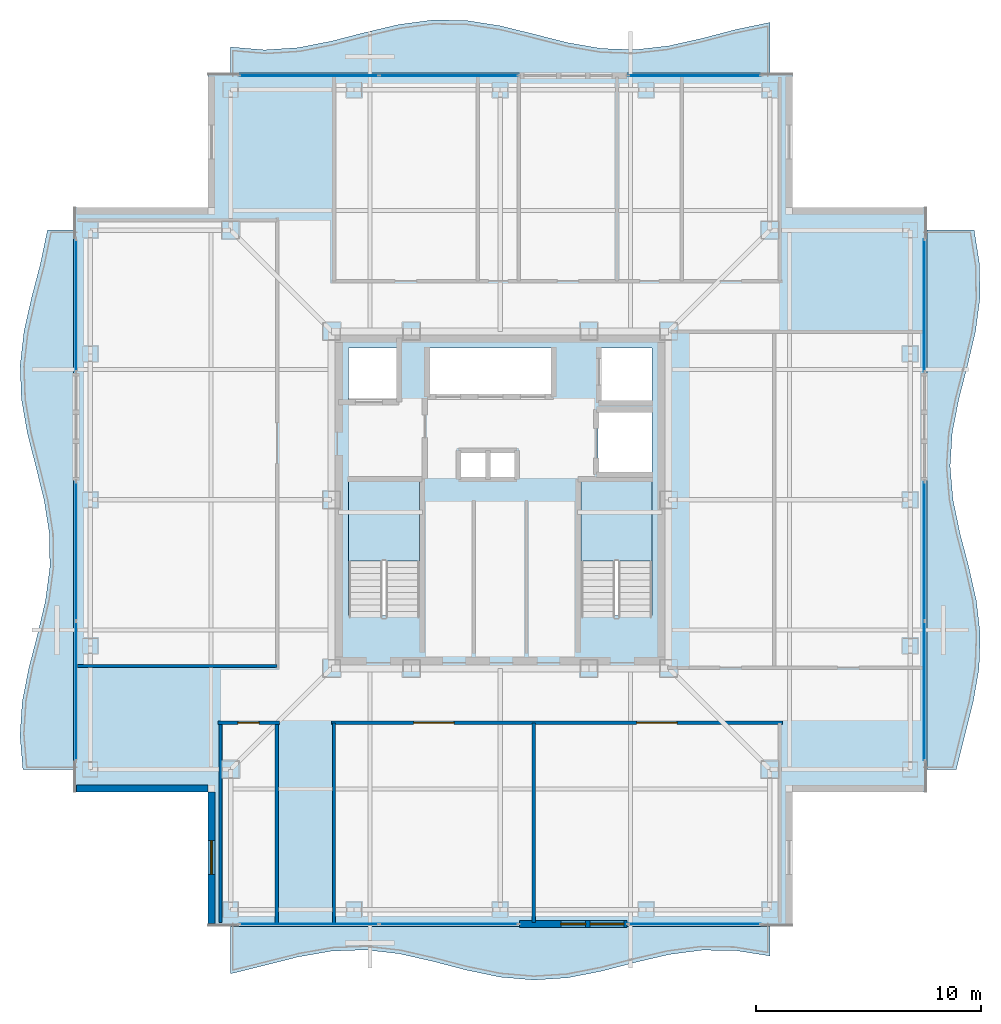
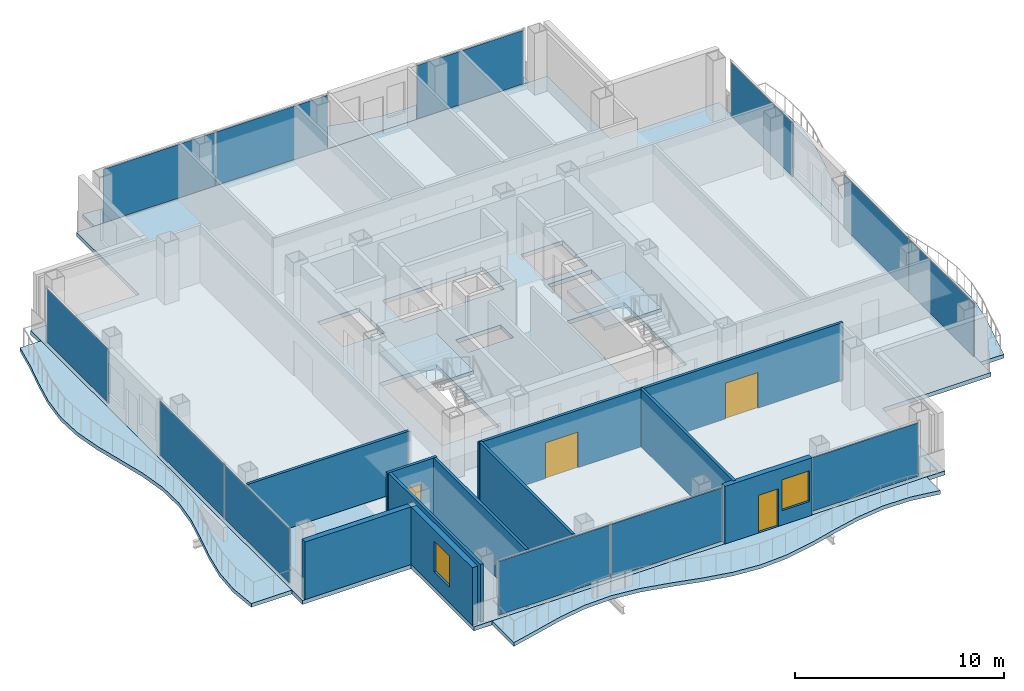
# One storey, part 9 of 17: 12 plates, 10 walls, 7 slabs, 4 doors, 2 windows, 6 openings, 10 elements without a shape of their own.
"""IFC4 building model written with IfcOpenShell, lengths in metres."""

from ifc_helpers import new_model, si_unit, direction, frame, frame_2d, origin, origin_2d, place, context, subcontext, project, spatial, polyline, rectangle, outline, extrude, material, layer, layer_set, type_object, element, fill, aggregate, save


model = new_model("IFC4")

# Units and contexts
model_context = context("Model", 3, precision=1e-05, world=origin(), true_north=direction((0.0, 1.0)))
body_context = subcontext(model_context, "Body", "Model", "MODEL_VIEW")
ifc_project = project(units=[si_unit("LENGTHUNIT", "METRE"), si_unit("AREAUNIT", "SQUARE_METRE"), si_unit("VOLUMEUNIT", "CUBIC_METRE"), si_unit("PLANEANGLEUNIT", "RADIAN"), si_unit("MASSUNIT", "GRAM", prefix="KILO")], contexts=[model_context])

# Site, building, storey
site_placement = place(None, origin())
site = spatial("IfcSite", under=ifc_project, at=site_placement, CompositionType="ELEMENT")
building_placement = place(site_placement, origin())
building = spatial("IfcBuilding", under=site, at=building_placement, Name="Trevonay Congress Spire", CompositionType="ELEMENT")
storey_placement = place(building_placement, frame((0.0, 0.0, 264.800048828125)))
storey = spatial("IfcBuildingStorey", under=building, at=storey_placement, Name="L69", CompositionType="ELEMENT", Elevation=264.800048828125)

# Curtain wall, plates
ifc_material_1 = material(Name="Pale Anodised Aluminium EN AW-6063-T6", Category="aluminium")
ifc_layer_1 = layer(ifc_material_1, 0.1650390625, Name="Pale Anodised Aluminium EN AW-6063-T6")
ifc_layer_set_1 = layer_set([ifc_layer_1], Name="Pale Anodised Aluminium EN AW-6063-T6")
curtain_wall_type = type_object("IfcCurtainWallType", Name="CW-SYS05-DIPLOM-PALE-METAL", PredefinedType="NOTDEFINED", material=ifc_layer_set_1)
curtain_wall_1_placement = place(storey_placement, origin())
curtain_wall_1 = element("IfcCurtainWall", 1, at=curtain_wall_1_placement, inside=storey, type_object=curtain_wall_type, Name="L69 SA unitised curtain wall", PredefinedType="NOTDEFINED")
ifc_material_2 = material(Name="Insulated Low-E Vision Glass IGU", Category="glass")
ifc_layer_2 = layer(ifc_material_2, 0.035888671875, Name="Insulated Low-E Vision Glass IGU")
ifc_layer_set_2 = layer_set([ifc_layer_2], Name="Insulated Low-E Vision Glass IGU")
plate_type = type_object("IfcPlateType", Name="CW-PANEL-IGU36-SILVER", PredefinedType="CURTAIN_PANEL", material=ifc_layer_set_2)
plate_1_placement = place(storey_placement, frame((-8.510009765625, -18.8798828125, 0.119873046875), z_axis=(0.0, 0.0, 1.0), x_axis=(1.0, 0.0, 0.0)))
plate_1 = element("IfcPlate", 2, at=plate_1_placement, type_object=plate_type, Name="CW05 panel 1.1", PredefinedType="CURTAIN_PANEL", context=body_context, shape_type="SweptSolid", body=[
    extrude(rectangle(XDim=6.159912109375, YDim=0.035888671875, at=origin_2d()), origin(), (0.0, 0.0, 1.0), 3.1201171875),
])
plate_2_placement = place(storey_placement, frame((-2.2900390625, -18.8798828125, 0.119873046875), z_axis=(0.0, 0.0, 1.0), x_axis=(1.0, 0.0, 0.0)))
plate_2 = element("IfcPlate", 3, at=plate_2_placement, type_object=plate_type, Name="CW05 panel 2.1", PredefinedType="CURTAIN_PANEL", context=body_context, shape_type="SweptSolid", body=[
    extrude(rectangle(XDim=6.159912109375, YDim=0.035888671875, at=origin_2d()), origin(), (0.0, 0.0, 1.0), 3.1201171875),
])
aggregate(curtain_wall_1, [plate_1, plate_2])

# Curtain wall, plate
curtain_wall_2_placement = place(storey_placement, origin())
curtain_wall_2 = element("IfcCurtainWall", 4, at=curtain_wall_2_placement, inside=storey, type_object=curtain_wall_type, Name="L69 SB unitised curtain wall", PredefinedType="NOTDEFINED")
plate_3_placement = place(storey_placement, frame((8.64990234375, -18.8798828125, 0.119873046875), z_axis=(0.0, 0.0, 1.0), x_axis=(1.0, 0.0, 0.0)))
plate_3 = element("IfcPlate", 5, at=plate_3_placement, type_object=plate_type, Name="CW05 panel 1.1", PredefinedType="CURTAIN_PANEL", context=body_context, shape_type="SweptSolid", body=[
    extrude(rectangle(XDim=5.8798828125, YDim=0.035888671875, at=origin_2d()), origin(), (0.0, 0.0, 1.0), 3.1201171875),
])
aggregate(curtain_wall_2, [plate_3])

# Curtain wall, plates
curtain_wall_3_placement = place(storey_placement, origin())
curtain_wall_3 = element("IfcCurtainWall", 6, at=curtain_wall_3_placement, inside=storey, type_object=curtain_wall_type, Name="L69 NA unitised curtain wall", PredefinedType="NOTDEFINED")
plate_4_placement = place(storey_placement, frame((-8.510009765625, 18.8798828125, 0.119873046875), z_axis=(0.0, 0.0, 1.0), x_axis=(1.0, 0.0, 0.0)))
plate_4 = element("IfcPlate", 7, at=plate_4_placement, type_object=plate_type, Name="CW05 panel 1.1", PredefinedType="CURTAIN_PANEL", context=body_context, shape_type="SweptSolid", body=[
    extrude(rectangle(XDim=6.159912109375, YDim=0.035888671875, at=origin_2d()), origin(), (0.0, 0.0, 1.0), 3.1201171875),
])
plate_5_placement = place(storey_placement, frame((-2.2900390625, 18.8798828125, 0.119873046875), z_axis=(0.0, 0.0, 1.0), x_axis=(1.0, 0.0, 0.0)))
plate_5 = element("IfcPlate", 8, at=plate_5_placement, type_object=plate_type, Name="CW05 panel 2.1", PredefinedType="CURTAIN_PANEL", context=body_context, shape_type="SweptSolid", body=[
    extrude(rectangle(XDim=6.159912109375, YDim=0.035888671875, at=origin_2d()), origin(), (0.0, 0.0, 1.0), 3.1201171875),
])
aggregate(curtain_wall_3, [plate_4, plate_5])

# Curtain wall, plate
curtain_wall_4_placement = place(storey_placement, origin())
curtain_wall_4 = element("IfcCurtainWall", 9, at=curtain_wall_4_placement, inside=storey, type_object=curtain_wall_type, Name="L69 NB unitised curtain wall", PredefinedType="NOTDEFINED")
plate_6_placement = place(storey_placement, frame((8.64990234375, 18.8798828125, 0.119873046875), z_axis=(0.0, 0.0, 1.0), x_axis=(1.0, 0.0, 0.0)))
plate_6 = element("IfcPlate", 10, at=plate_6_placement, type_object=plate_type, Name="CW05 panel 1.1", PredefinedType="CURTAIN_PANEL", context=body_context, shape_type="SweptSolid", body=[
    extrude(rectangle(XDim=5.8798828125, YDim=0.035888671875, at=origin_2d()), origin(), (0.0, 0.0, 1.0), 3.1201171875),
])
aggregate(curtain_wall_4, [plate_6])

# Curtain wall, plates
curtain_wall_5_placement = place(storey_placement, origin())
curtain_wall_5 = element("IfcCurtainWall", 11, at=curtain_wall_5_placement, inside=storey, type_object=curtain_wall_type, Name="L69 WA unitised curtain wall", PredefinedType="NOTDEFINED")
plate_7_placement = place(storey_placement, frame((-18.8798828125, -8.510009765625, 0.119873046875), z_axis=(0.0, 0.0, 1.0), x_axis=(0.0, 1.0, 0.0)))
plate_7 = element("IfcPlate", 12, at=plate_7_placement, type_object=plate_type, Name="CW05 panel 1.1", PredefinedType="CURTAIN_PANEL", context=body_context, shape_type="SweptSolid", body=[
    extrude(rectangle(XDim=6.159912109375, YDim=0.035888671875, at=origin_2d()), origin(), (0.0, 0.0, 1.0), 3.1201171875),
])
plate_8_placement = place(storey_placement, frame((-18.8798828125, -2.2900390625, 0.119873046875), z_axis=(0.0, 0.0, 1.0), x_axis=(0.0, 1.0, 0.0)))
plate_8 = element("IfcPlate", 13, at=plate_8_placement, type_object=plate_type, Name="CW05 panel 2.1", PredefinedType="CURTAIN_PANEL", context=body_context, shape_type="SweptSolid", body=[
    extrude(rectangle(XDim=6.159912109375, YDim=0.035888671875, at=origin_2d()), origin(), (0.0, 0.0, 1.0), 3.1201171875),
])
aggregate(curtain_wall_5, [plate_7, plate_8])

# Curtain wall, plate
curtain_wall_6_placement = place(storey_placement, origin())
curtain_wall_6 = element("IfcCurtainWall", 14, at=curtain_wall_6_placement, inside=storey, type_object=curtain_wall_type, Name="L69 WB unitised curtain wall", PredefinedType="NOTDEFINED")
plate_9_placement = place(storey_placement, frame((-18.8798828125, 8.64990234375, 0.119873046875), z_axis=(0.0, 0.0, 1.0), x_axis=(0.0, 1.0, 0.0)))
plate_9 = element("IfcPlate", 15, at=plate_9_placement, type_object=plate_type, Name="CW05 panel 1.1", PredefinedType="CURTAIN_PANEL", context=body_context, shape_type="SweptSolid", body=[
    extrude(rectangle(XDim=5.8798828125, YDim=0.035888671875, at=origin_2d()), origin(), (0.0, 0.0, 1.0), 3.1201171875),
])
aggregate(curtain_wall_6, [plate_9])

# Curtain wall, plates
curtain_wall_7_placement = place(storey_placement, origin())
curtain_wall_7 = element("IfcCurtainWall", 16, at=curtain_wall_7_placement, inside=storey, type_object=curtain_wall_type, Name="L69 EA unitised curtain wall", PredefinedType="NOTDEFINED")
plate_10_placement = place(storey_placement, frame((18.8798828125, -8.510009765625, 0.119873046875), z_axis=(0.0, 0.0, 1.0), x_axis=(0.0, 1.0, 0.0)))
plate_10 = element("IfcPlate", 17, at=plate_10_placement, type_object=plate_type, Name="CW05 panel 1.1", PredefinedType="CURTAIN_PANEL", context=body_context, shape_type="SweptSolid", body=[
    extrude(rectangle(XDim=6.159912109375, YDim=0.035888671875, at=origin_2d()), origin(), (0.0, 0.0, 1.0), 3.1201171875),
])
plate_11_placement = place(storey_placement, frame((18.8798828125, -2.2900390625, 0.119873046875), z_axis=(0.0, 0.0, 1.0), x_axis=(0.0, 1.0, 0.0)))
plate_11 = element("IfcPlate", 18, at=plate_11_placement, type_object=plate_type, Name="CW05 panel 2.1", PredefinedType="CURTAIN_PANEL", context=body_context, shape_type="SweptSolid", body=[
    extrude(rectangle(XDim=6.159912109375, YDim=0.035888671875, at=origin_2d()), origin(), (0.0, 0.0, 1.0), 3.1201171875),
])
aggregate(curtain_wall_7, [plate_10, plate_11])

# Curtain wall, plate
curtain_wall_8_placement = place(storey_placement, origin())
curtain_wall_8 = element("IfcCurtainWall", 19, at=curtain_wall_8_placement, inside=storey, type_object=curtain_wall_type, Name="L69 EB unitised curtain wall", PredefinedType="NOTDEFINED")
plate_12_placement = place(storey_placement, frame((18.8798828125, 8.64990234375, 0.119873046875), z_axis=(0.0, 0.0, 1.0), x_axis=(0.0, 1.0, 0.0)))
plate_12 = element("IfcPlate", 20, at=plate_12_placement, type_object=plate_type, Name="CW05 panel 1.1", PredefinedType="CURTAIN_PANEL", context=body_context, shape_type="SweptSolid", body=[
    extrude(rectangle(XDim=5.8798828125, YDim=0.035888671875, at=origin_2d()), origin(), (0.0, 0.0, 1.0), 3.1201171875),
])
aggregate(curtain_wall_8, [plate_12])

# Stair, slab
ifc_material_3 = material(Name="Concrete C40/50", Category="concrete")
stair_type_1 = type_object("IfcStairType", Name="STR-ST-1", PredefinedType="HALF_TURN_STAIR", material=ifc_material_3)
stair_1_placement = place(storey_placement, origin())
stair_1 = element("IfcStair", 21, at=stair_1_placement, inside=storey, type_object=stair_type_1, Name="L69 Protected Exit Stair ST-1", PredefinedType="HALF_TURN_STAIR")
ifc_layer_3 = layer(ifc_material_3, 0.199951171875, Name="Concrete C40/50")
ifc_layer_set_3 = layer_set([ifc_layer_3], Name="Concrete C40/50")
slab_type_1 = type_object("IfcSlabType", Name="SLB-STAIR-LAND-200", PredefinedType="LANDING", material=ifc_layer_set_3)
slab_1_placement = place(storey_placement, frame((0.0, 0.0, 1.599853515625)))
slab_1 = element("IfcSlab", 22, at=slab_1_placement, type_object=slab_type_1, Name="ST-1 landing 1", PredefinedType="LANDING", context=body_context, shape_type="SweptSolid", body=[
    extrude(outline(polyline([(-3.60009765625, -2.72998046875), (-3.60009765625, 0.85009765625), (-6.75, 0.85009765625), (-6.75, -2.72998046875), (-3.60009765625, -2.72998046875)])), origin(), (0.0, 0.0, 1.0), 0.2001953125),
])
aggregate(stair_1, [slab_1])

stair_type_2 = type_object("IfcStairType", Name="STR-ST-2", PredefinedType="HALF_TURN_STAIR", material=ifc_material_3)
stair_2_placement = place(storey_placement, origin())
stair_2 = element("IfcStair", 23, at=stair_2_placement, inside=storey, type_object=stair_type_2, Name="L69 Protected Exit Stair ST-2", PredefinedType="HALF_TURN_STAIR")
slab_2_placement = place(storey_placement, frame((0.0, 0.0, 1.599853515625)))
slab_2 = element("IfcSlab", 24, at=slab_2_placement, type_object=slab_type_1, Name="ST-2 landing 1", PredefinedType="LANDING", context=body_context, shape_type="SweptSolid", body=[
    extrude(outline(polyline([(6.75, -2.72998046875), (6.75, 0.85009765625), (3.60009765625, 0.85009765625), (3.60009765625, -2.72998046875), (6.75, -2.72998046875)])), origin(), (0.0, 0.0, 1.0), 0.2001953125),
])
aggregate(stair_2, [slab_2])

# Slabs
ifc_layer_4 = layer(ifc_material_3, 0.239990234375, Name="Concrete C40/50")
ifc_layer_set_4 = layer_set([ifc_layer_4], Name="Concrete C40/50")
slab_type_2 = type_object("IfcSlabType", Name="SLB-TOW2-240", PredefinedType="FLOOR", material=ifc_layer_set_4)
slab_3_placement = place(storey_placement, frame((0.0, 0.0, -0.239990234375)))
element("IfcSlab", 25, at=slab_3_placement, inside=storey, type_object=slab_type_2, Name="L69 structural floor slab", PredefinedType="FLOOR", context=body_context, shape_type="SweptSolid", body=[
    extrude(outline(polyline([(-13.0, -19.0), (13.0, -19.0), (13.0, -13.0), (19.0, -13.0), (19.0, 13.0), (13.0, 13.0), (13.0, 19.0), (-13.0, 19.0), (-13.0, 13.0), (-19.0, 13.0), (-19.0, -13.0), (-13.0, -13.0), (-13.0, -19.0)]), holes=[polyline([(-3.60009765625, -5.14990234375), (-3.60009765625, 0.85009765625), (-6.75, 0.85009765625), (-6.75, -5.14990234375), (-3.60009765625, -5.14990234375)]), polyline([(6.75, -5.14990234375), (6.75, 0.85009765625), (3.60009765625, 0.85009765625), (3.60009765625, -5.14990234375), (6.75, -5.14990234375)]), polyline([(-3.199951171875, 4.64990234375), (2.340087890625, 4.64990234375), (2.340087890625, 6.75), (-3.199951171875, 6.75), (-3.199951171875, 4.64990234375)]), polyline([(-6.75, 4.35009765625), (-4.449951171875, 4.35009765625), (-4.449951171875, 6.75), (-6.75, 6.75), (-6.75, 4.35009765625)]), polyline([(4.449951171875, 4.35009765625), (6.75, 4.35009765625), (6.75, 6.75), (4.449951171875, 6.75), (4.449951171875, 4.35009765625)]), polyline([(4.35009765625, 1.199951171875), (6.75, 1.199951171875), (6.75, 3.949951171875), (4.35009765625, 3.949951171875), (4.35009765625, 1.199951171875)]), polyline([(-1.800048828125, 0.949951171875), (0.699951171875, 0.949951171875), (0.699951171875, 2.14990234375), (-1.800048828125, 2.14990234375), (-1.800048828125, 0.949951171875)])]), origin(), (0.0, 0.0, 1.0), 0.239990234375),
])
ifc_layer_5 = layer(ifc_material_3, 0.219970703125, Name="Concrete C40/50")
ifc_layer_set_5 = layer_set([ifc_layer_5], Name="Concrete C40/50")
slab_type_3 = type_object("IfcSlabType", Name="SLB-WAVE-220", PredefinedType="FLOOR", material=ifc_layer_set_5)
slab_4_placement = place(storey_placement, frame((0.0, 0.0, -0.219970703125)))
element("IfcSlab", 26, at=slab_4_placement, inside=storey, type_object=slab_type_3, Name="L69 sinusoidal louvre-balcony deck S", PredefinedType="FLOOR", context=body_context, shape_type="SweptSolid", body=[
    extrude(outline(polyline([(-12.0, -21.096923828125), (-10.5, -20.72705078125), (-9.0, -20.346923828125), (-7.5, -20.0869140625), (-6.0, -20.032958984375), (-4.5, -20.2041015625), (-3.0, -20.5419921875), (-1.5, -20.93408203125), (0.0, -21.24609375), (1.5, -21.3740234375), (3.0, -21.27587890625), (4.5, -20.98291015625), (6.0, -20.593994140625), (7.5, -20.241943359375), (9.0, -20.0439453125), (10.5, -20.06689453125), (12.0, -20.302978515625), (12.0, -19.0), (10.5, -19.0), (9.0, -19.0), (7.5, -19.0), (6.0, -19.0), (4.5, -19.0), (3.0, -19.0), (1.5, -19.0), (0.0, -19.0), (-1.5, -19.0), (-3.0, -19.0), (-4.5, -19.0), (-6.0, -19.0), (-7.5, -19.0), (-9.0, -19.0), (-10.5, -19.0), (-12.0, -19.0), (-12.0, -21.096923828125)])), origin(), (0.0, 0.0, 1.0), 0.219970703125),
])
slab_5_placement = place(storey_placement, frame((0.0, 0.0, -0.219970703125)))
element("IfcSlab", 27, at=slab_5_placement, inside=storey, type_object=slab_type_3, Name="L69 sinusoidal louvre-balcony deck N", PredefinedType="FLOOR", context=body_context, shape_type="SweptSolid", body=[
    extrude(outline(polyline([(-12.0, 19.0), (-10.5, 19.0), (-9.0, 19.0), (-7.5, 19.0), (-6.0, 19.0), (-4.5, 19.0), (-3.0, 19.0), (-1.5, 19.0), (0.0, 19.0), (1.5, 19.0), (3.0, 19.0), (4.5, 19.0), (6.0, 19.0), (7.5, 19.0), (9.0, 19.0), (10.5, 19.0), (12.0, 19.0), (12.0, 21.24609375), (10.5, 20.93408203125), (9.0, 20.5419921875), (7.5, 20.2041015625), (6.0, 20.032958984375), (4.5, 20.0869140625), (3.0, 20.346923828125), (1.5, 20.72705078125), (0.0, 21.096923828125), (-1.5, 21.3330078125), (-3.0, 21.35595703125), (-4.5, 21.157958984375), (-6.0, 20.805908203125), (-7.5, 20.4169921875), (-9.0, 20.1240234375), (-10.5, 20.02587890625), (-12.0, 20.154052734375), (-12.0, 19.0)])), origin(), (0.0, 0.0, 1.0), 0.219970703125),
])
slab_6_placement = place(storey_placement, frame((0.0, 0.0, -0.219970703125)))
element("IfcSlab", 28, at=slab_6_placement, inside=storey, type_object=slab_type_3, Name="L69 sinusoidal louvre-balcony deck E", PredefinedType="FLOOR", context=body_context, shape_type="SweptSolid", body=[
    extrude(outline(polyline([(20.302978515625, -12.0), (20.673095703125, -10.5), (21.052978515625, -9.0), (21.31298828125, -7.5), (21.366943359375, -6.0), (21.196044921875, -4.5), (20.85791015625, -3.0), (20.466064453125, -1.5), (20.154052734375, 0.0), (20.02587890625, 1.5), (20.1240234375, 3.0), (20.4169921875, 4.5), (20.805908203125, 6.0), (21.157958984375, 7.5), (21.35595703125, 9.0), (21.3330078125, 10.5), (21.096923828125, 12.0), (19.0, 12.0), (19.0, 10.5), (19.0, 9.0), (19.0, 7.5), (19.0, 6.0), (19.0, 4.5), (19.0, 3.0), (19.0, 1.5), (19.0, 0.0), (19.0, -1.5), (19.0, -3.0), (19.0, -4.5), (19.0, -6.0), (19.0, -7.5), (19.0, -9.0), (19.0, -10.5), (19.0, -12.0), (20.302978515625, -12.0)])), origin(), (0.0, 0.0, 1.0), 0.219970703125),
])
slab_7_placement = place(storey_placement, frame((0.0, 0.0, -0.219970703125)))
element("IfcSlab", 29, at=slab_7_placement, inside=storey, type_object=slab_type_3, Name="L69 sinusoidal louvre-balcony deck W", PredefinedType="FLOOR", context=body_context, shape_type="SweptSolid", body=[
    extrude(outline(polyline([(-19.0, -12.0), (-19.0, -10.5), (-19.0, -9.0), (-19.0, -7.5), (-19.0, -6.0), (-19.0, -4.5), (-19.0, -3.0), (-19.0, -1.5), (-19.0, 0.0), (-19.0, 1.5), (-19.0, 3.0), (-19.0, 4.5), (-19.0, 6.0), (-19.0, 7.5), (-19.0, 9.0), (-19.0, 10.5), (-19.0, 12.0), (-20.154052734375, 12.0), (-20.466064453125, 10.5), (-20.85791015625, 9.0), (-21.196044921875, 7.5), (-21.366943359375, 6.0), (-21.31298828125, 4.5), (-21.052978515625, 3.0), (-20.673095703125, 1.5), (-20.302978515625, 0.0), (-20.06689453125, -1.5), (-20.0439453125, -3.0), (-20.241943359375, -4.5), (-20.593994140625, -6.0), (-20.98291015625, -7.5), (-21.27587890625, -9.0), (-21.3740234375, -10.5), (-21.24609375, -12.0), (-19.0, -12.0)])), origin(), (0.0, 0.0, 1.0), 0.219970703125),
])

# Wall, opening, door
ifc_layer_6 = layer(ifc_material_3, 0.14990234375, Name="Concrete C40/50")
ifc_layer_set_6 = layer_set([ifc_layer_6], Name="Concrete C40/50")
wall_type_1 = type_object("IfcWallType", Name="WAL-CORR-150", PredefinedType="PARTITIONING", material=ifc_layer_set_6)
wall_1_placement = place(storey_placement, frame((-12.570068359375, -9.929931640625, 0.0), z_axis=(0.0, 0.0, 1.0), x_axis=(1.0, 0.0, 0.0)))
wall_1 = element("IfcWall", 30, at=wall_1_placement, inside=storey, type_object=wall_type_1, Name="L69 interior wall WP-L69SW-COR", PredefinedType="PARTITIONING", context=body_context, shape_type="SweptSolid", body=[
    extrude(rectangle(XDim=2.739990234375, YDim=0.14990234375, at=frame_2d((1.3701171875, 0.0))), origin(), (0.0, 0.0, 1.0), 3.35986328125),
])
opening_1_placement = place(wall_1_placement, frame((0.89501953125, 0.0, 0.0)))
opening_1 = element("IfcOpeningElement", 31, at=opening_1_placement, cuts=wall_1, Name="Opening D07", PredefinedType="OPENING", context=body_context, shape_type="SweptSolid", body=[
    extrude(rectangle(XDim=0.949951171875, YDim=2.06005859375, at=frame_2d((0.47509765625, 1.030029296875))), frame((0.0, 0.0849609375, 0.0), z_axis=(0.0, -1.0, 0.0), x_axis=(1.0, 0.0, 0.0)), (0.0, 0.0, 1.0), 0.169921875),
])
door_type_1 = type_object("IfcDoorType", Name="DOR-OFFICE-95", OperationType="NOTDEFINED", PredefinedType="DOOR", material=ifc_material_1)
door_1_placement = place(opening_1_placement, origin())
door_1 = element("IfcDoor", 32, at=door_1_placement, inside=storey, type_object=door_type_1, Name="L69 Horizon Telescope Lounge Door", OperationType="SINGLE_SWING_LEFT", OverallHeight=2.06005859375, OverallWidth=0.949951171875, PredefinedType="DOOR", context=body_context, shape_type="SweptSolid", body=[
    extrude(rectangle(XDim=0.949951171875, YDim=2.06005859375, at=frame_2d((0.47509765625, 1.030029296875))), frame((0.0, 0.02490234375, 0.0), z_axis=(0.0, -1.0, 0.0), x_axis=(1.0, 0.0, 0.0)), (0.0, 0.0, 1.0), 0.050048828125),
])
fill(opening_1, door_1)

# Wall, openings, doors
wall_2_placement = place(storey_placement, frame((-7.52001953125, -9.929931640625, 0.0), z_axis=(0.0, 0.0, 1.0), x_axis=(1.0, 0.0, 0.0)))
wall_2 = element("IfcWall", 33, at=wall_2_placement, inside=storey, type_object=wall_type_1, Name="L69 interior wall WP-L69SE-COR", PredefinedType="PARTITIONING", context=body_context, shape_type="SweptSolid", body=[
    extrude(rectangle(XDim=20.090087890625, YDim=0.14990234375, at=frame_2d((10.044921875, 0.0))), origin(), (0.0, 0.0, 1.0), 3.35986328125),
])
opening_2_placement = place(wall_2_placement, frame((3.669921875, 0.0, 0.0)))
opening_2 = element("IfcOpeningElement", 34, at=opening_2_placement, cuts=wall_2, Name="Opening D09", PredefinedType="OPENING", context=body_context, shape_type="SweptSolid", body=[
    extrude(rectangle(XDim=1.800048828125, YDim=2.080078125, at=frame_2d((0.89990234375, 1.0400390625))), frame((0.0, 0.0849609375, 0.0), z_axis=(0.0, -1.0, 0.0), x_axis=(1.0, 0.0, 0.0)), (0.0, 0.0, 1.0), 0.169921875),
])
opening_3_placement = place(wall_2_placement, frame((13.594970703125, 0.0, 0.0)))
opening_3 = element("IfcOpeningElement", 35, at=opening_3_placement, cuts=wall_2, Name="Opening D09", PredefinedType="OPENING", context=body_context, shape_type="SweptSolid", body=[
    extrude(rectangle(XDim=1.800048828125, YDim=2.080078125, at=frame_2d((0.89990234375, 1.0400390625))), frame((0.0, 0.0849609375, 0.0), z_axis=(0.0, -1.0, 0.0), x_axis=(1.0, 0.0, 0.0)), (0.0, 0.0, 1.0), 0.169921875),
])
door_type_2 = type_object("IfcDoorType", Name="DOR-CONF-DBL", OperationType="DOUBLE_DOOR_SINGLE_SWING", PredefinedType="DOOR", material=ifc_material_1)
door_2_placement = place(opening_2_placement, origin())
door_2 = element("IfcDoor", 36, at=door_2_placement, inside=storey, type_object=door_type_2, Name="L69 Contemporary Latin Art Gallery Lounge Door", OperationType="DOUBLE_DOOR_SINGLE_SWING", OverallHeight=2.080078125, OverallWidth=1.800048828125, PredefinedType="DOOR", context=body_context, shape_type="SweptSolid", body=[
    extrude(rectangle(XDim=1.800048828125, YDim=2.080078125, at=frame_2d((0.89990234375, 1.0400390625))), frame((0.0, 0.02490234375, 0.0), z_axis=(0.0, -1.0, 0.0), x_axis=(1.0, 0.0, 0.0)), (0.0, 0.0, 1.0), 0.050048828125),
])
fill(opening_2, door_2)
door_3_placement = place(opening_3_placement, origin())
door_3 = element("IfcDoor", 37, at=door_3_placement, inside=storey, type_object=door_type_2, Name="L69 Sculpture Terrace Salon Lounge Door", OperationType="DOUBLE_DOOR_SINGLE_SWING", OverallHeight=2.080078125, OverallWidth=1.800048828125, PredefinedType="DOOR", context=body_context, shape_type="SweptSolid", body=[
    extrude(rectangle(XDim=1.800048828125, YDim=2.080078125, at=frame_2d((0.89990234375, 1.0400390625))), frame((0.0, 0.02490234375, 0.0), z_axis=(0.0, -1.0, 0.0), x_axis=(1.0, 0.0, 0.0)), (0.0, 0.0, 1.0), 0.050048828125),
])
fill(opening_3, door_3)

# Wall, openings, door, window
ifc_material_4 = material(Name="Precast concrete C40/50", Category="concrete")
ifc_layer_7 = layer(ifc_material_4, 0.300048828125, Name="Precast concrete C40/50")
ifc_layer_set_7 = layer_set([ifc_layer_7], Name="Precast concrete C40/50")
wall_type_2 = type_object("IfcWallType", Name="WAL-EXT-PRECAST-300", PredefinedType="SOLIDWALL", material=ifc_layer_set_7)
wall_3_placement = place(storey_placement, frame((0.85009765625, -18.8798828125, 0.0), z_axis=(0.0, 0.0, 1.0), x_axis=(1.0, 0.0, 0.0)))
wall_3 = element("IfcWall", 38, at=wall_3_placement, inside=storey, type_object=wall_type_2, Name="L69 S glazed balcony portal exterior wall", PredefinedType="SOLIDWALL", context=body_context, shape_type="SweptSolid", body=[
    extrude(rectangle(XDim=4.7998046875, YDim=0.300048828125, at=frame_2d((2.39990234375, 0.0))), origin(), (0.0, 0.0, 1.0), 3.35986328125),
])
opening_4_placement = place(wall_3_placement, frame((1.85009765625, 0.0, 0.0)))
opening_4 = element("IfcOpeningElement", 39, at=opening_4_placement, cuts=wall_3, Name="Opening D03", PredefinedType="OPENING", context=body_context, shape_type="SweptSolid", body=[
    extrude(rectangle(XDim=1.10009765625, YDim=2.199951171875, at=frame_2d((0.550048828125, 1.10009765625))), frame((0.0, 0.16015625, 0.0), z_axis=(0.0, -1.0, 0.0), x_axis=(1.0, 0.0, 0.0)), (0.0, 0.0, 1.0), 0.320068359375),
])
opening_5_placement = place(wall_3_placement, frame((3.14990234375, 0.0, 0.85009765625)))
opening_5 = element("IfcOpeningElement", 40, at=opening_5_placement, cuts=wall_3, Name="Opening WN03", PredefinedType="OPENING", context=body_context, shape_type="SweptSolid", body=[
    extrude(rectangle(XDim=1.5, YDim=1.800048828125, at=frame_2d((0.75, 0.89990234375))), frame((0.0, 0.16015625, 0.0), z_axis=(0.0, -1.0, 0.0), x_axis=(1.0, 0.0, 0.0)), (0.0, 0.0, 1.0), 0.320068359375),
])
door_type_3 = type_object("IfcDoorType", Name="DOR-EXT-BAL-110", OperationType="NOTDEFINED", PredefinedType="DOOR", material=ifc_material_1)
door_4_placement = place(opening_4_placement, origin())
door_4 = element("IfcDoor", 41, at=door_4_placement, inside=storey, type_object=door_type_3, Name="L69 S glazed outdoor terrace and balcony door", OperationType="SINGLE_SWING_LEFT", OverallHeight=2.199951171875, OverallWidth=1.10009765625, PredefinedType="DOOR", context=body_context, shape_type="SweptSolid", body=[
    extrude(rectangle(XDim=1.10009765625, YDim=2.199951171875, at=frame_2d((0.550048828125, 1.10009765625))), frame((0.0, 0.02490234375, 0.0), z_axis=(0.0, -1.0, 0.0), x_axis=(1.0, 0.0, 0.0)), (0.0, 0.0, 1.0), 0.050048828125),
])
fill(opening_4, door_4)
window_type = type_object("IfcWindowType", Name="WIN-NOTCH-150X180", PartitioningType="SINGLE_PANEL", PredefinedType="WINDOW", material=ifc_material_2)
window_1_placement = place(opening_5_placement, origin())
window_1 = element("IfcWindow", 42, at=window_1_placement, inside=storey, type_object=window_type, Name="L69 S balcony sidelight window R", OverallHeight=1.800048828125, OverallWidth=1.5, PartitioningType="SINGLE_PANEL", PredefinedType="WINDOW", context=body_context, shape_type="SweptSolid", body=[
    extrude(rectangle(XDim=1.5, YDim=1.800048828125, at=frame_2d((0.75, 0.89990234375))), frame((0.0, 0.030029296875, 0.0), z_axis=(0.0, -1.0, 0.0), x_axis=(1.0, 0.0, 0.0)), (0.0, 0.0, 1.0), 0.06005859375),
])
fill(opening_5, window_1)

# Wall, opening, window
wall_4_placement = place(storey_placement, frame((-12.85009765625, -18.85009765625, 0.0), z_axis=(0.0, 0.0, 1.0), x_axis=(0.0, 1.0, 0.0)))
wall_4 = element("IfcWall", 43, at=wall_4_placement, inside=storey, type_object=wall_type_2, Name="L69 SW re-entrant notch exterior wall 1", PredefinedType="SOLIDWALL", context=body_context, shape_type="SweptSolid", body=[
    extrude(rectangle(XDim=5.85009765625, YDim=0.300048828125, at=frame_2d((2.925048828125, 0.0))), origin(), (0.0, 0.0, 1.0), 3.35986328125),
])
opening_6_placement = place(wall_4_placement, frame((2.175048828125, 0.0, 0.89990234375)))
opening_6 = element("IfcOpeningElement", 44, at=opening_6_placement, cuts=wall_4, Name="Opening WN03", PredefinedType="OPENING", context=body_context, shape_type="SweptSolid", body=[
    extrude(rectangle(XDim=1.5, YDim=1.800048828125, at=frame_2d((0.75, 0.89990234375))), frame((0.0, 0.16015625, 0.0), z_axis=(0.0, -1.0, 0.0), x_axis=(1.0, 0.0, 0.0)), (0.0, 0.0, 1.0), 0.320068359375),
])
window_2_placement = place(opening_6_placement, origin())
window_2 = element("IfcWindow", 45, at=window_2_placement, inside=storey, type_object=window_type, Name="L69 SW corner notch window", OverallHeight=1.800048828125, OverallWidth=1.5, PartitioningType="SINGLE_PANEL", PredefinedType="WINDOW", context=body_context, shape_type="SweptSolid", body=[
    extrude(rectangle(XDim=1.5, YDim=1.800048828125, at=frame_2d((0.75, 0.89990234375))), frame((0.0, 0.030029296875, 0.0), z_axis=(0.0, -1.0, 0.0), x_axis=(1.0, 0.0, 0.0)), (0.0, 0.0, 1.0), 0.06005859375),
])
fill(opening_6, window_2)

# Walls
wall_5_placement = place(storey_placement, frame((-18.85009765625, -12.85009765625, 0.0), z_axis=(0.0, 0.0, 1.0), x_axis=(1.0, 0.0, 0.0)))
element("IfcWall", 46, at=wall_5_placement, inside=storey, type_object=wall_type_2, Name="L69 SW re-entrant notch exterior wall 2", PredefinedType="SOLIDWALL", context=body_context, shape_type="SweptSolid", body=[
    extrude(rectangle(XDim=5.85009765625, YDim=0.300048828125, at=frame_2d((2.925048828125, 0.0))), origin(), (0.0, 0.0, 1.0), 3.35986328125),
])
ifc_layer_8 = layer(ifc_material_3, 0.14990234375, Name="Concrete C40/50")
ifc_layer_set_8 = layer_set([ifc_layer_8], Name="Concrete C40/50")
wall_type_3 = type_object("IfcWallType", Name="WAL-PART-150", PredefinedType="PARTITIONING", material=ifc_layer_set_8)
for number, where, z_axis, x_axis, name in (
    (47, (-12.449951171875, -18.820068359375, 0.0), (0.0, 0.0, 1.0), (0.0, 1.0, 0.0), "L69 interior wall WP-L69SW-DIV1"),
    (48, (-9.949951171875, -18.820068359375, 0.0), (0.0, 0.0, 1.0), (0.0, 1.0, 0.0), "L69 interior wall WP-L69SW-DIV2"),
    (49, (-7.39990234375, -18.820068359375, 0.0), (0.0, 0.0, 1.0), (0.0, 1.0, 0.0), "L69 interior wall WP-L69SE-DIV1"),
    (50, (1.5, -18.820068359375, 0.0), (0.0, 0.0, 1.0), (0.0, 1.0, 0.0), "L69 interior wall WP-L69SE-DIV2"),
    (51, (-18.820068359375, -7.39990234375, 0.0), (0.0, 0.0, 1.0), (1.0, 0.0, 0.0), "L69 interior wall WP-L69NW-DIV1"),
):
    element("IfcWall", number, at=place(storey_placement, frame(where, z_axis=z_axis, x_axis=x_axis)), inside=storey, type_object=wall_type_3, Name=name, PredefinedType="PARTITIONING", context=body_context, shape_type="SweptSolid", body=[
        extrude(rectangle(XDim=8.89013671875, YDim=0.14990234375, at=frame_2d((4.445068359375, 0.0))), origin(), (0.0, 0.0, 1.0), 3.35986328125),
    ])

save(model, "model.ifc")
